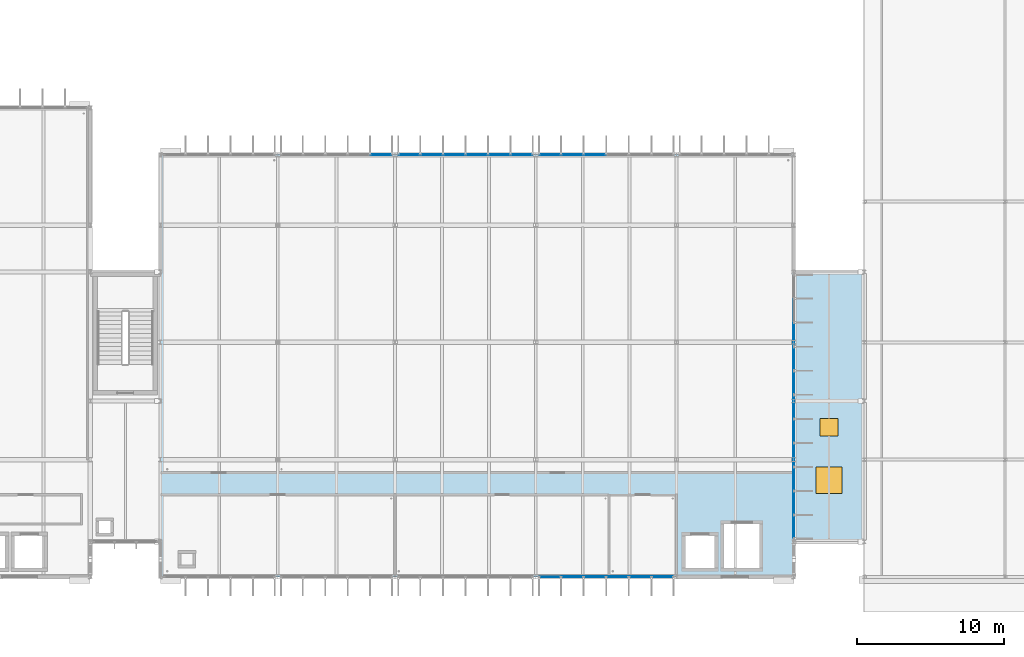
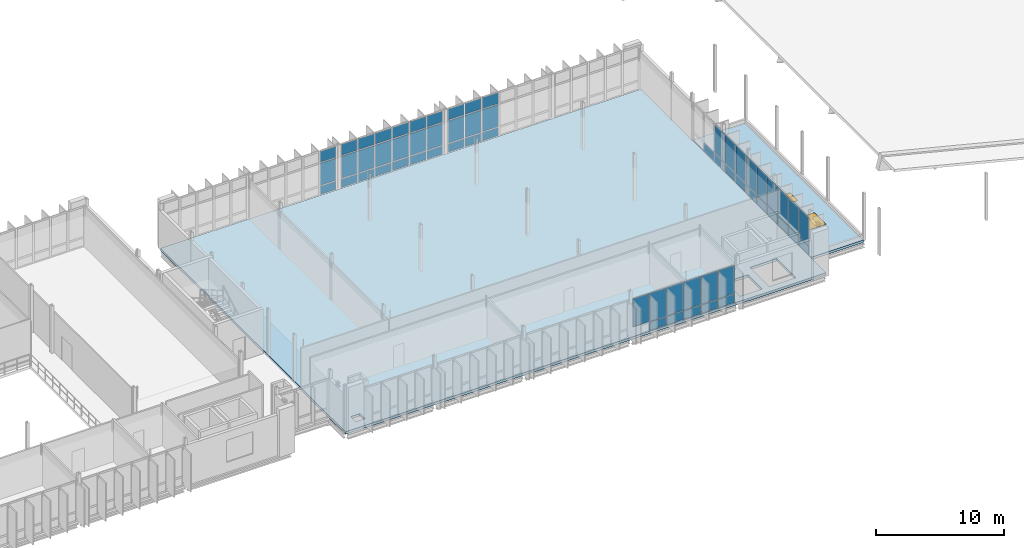
# One storey, part 43 of 93: 60 plates, 2 slabs, 2 windows, 2 openings, 5 elements without a shape of their own.
"""IFC4 building model written with IfcOpenShell, lengths in metres."""

from ifc_helpers import new_model, si_unit, direction, frame, origin, origin_2d, place, context, subcontext, project, spatial, polyline, rectangle, outline, extrude, material, layer, layer_set, type_object, element, fill, aggregate, save


model = new_model("IFC4")

# Units and contexts
model_context = context("Model", 3, precision=1e-05, world=origin(), true_north=direction((0.0, 1.0)))
body_context = subcontext(model_context, "Body", "Model", "MODEL_VIEW")
ifc_project = project(units=[si_unit("LENGTHUNIT", "METRE"), si_unit("AREAUNIT", "SQUARE_METRE"), si_unit("VOLUMEUNIT", "CUBIC_METRE"), si_unit("PLANEANGLEUNIT", "RADIAN"), si_unit("MASSUNIT", "GRAM", prefix="KILO")], contexts=[model_context])

# Site, building, storey
site_placement = place(None, origin())
site = spatial("IfcSite", under=ifc_project, at=site_placement, CompositionType="ELEMENT")
building_placement = place(site_placement, origin())
building = spatial("IfcBuilding", under=site, at=building_placement, Name="Dunescarp Central Library", CompositionType="ELEMENT")
storey_placement = place(building_placement, frame((0.0, 0.0, 14.10009765625)))
storey = spatial("IfcBuildingStorey", under=building, at=storey_placement, Name="L03", CompositionType="ELEMENT", Elevation=14.10009765625)

# Curtain wall, plates
ifc_material_1 = material(Name="Marine-grade anodised aluminium 6063-T6", Category="aluminium")
curtain_wall_type = type_object("IfcCurtainWallType", Name="ARC-CW-STICK", PredefinedType="NOTDEFINED", material=ifc_material_1)
curtain_wall_1_placement = place(storey_placement, origin())
curtain_wall_1 = element("IfcCurtainWall", 1, at=curtain_wall_1_placement, inside=storey, type_object=curtain_wall_type, Name="L03 curtain wall CW-V3-101", PredefinedType="NOTDEFINED")
ifc_material_2 = material(Name="Solar-control laminated double glazing", Category="glass")
ifc_layer_1 = layer(ifc_material_2, 0.028076171875)
ifc_layer_set_1 = layer_set([ifc_layer_1], Name="Solar-control laminated double glazing")
plate_type_1 = type_object("IfcPlateType", Name="ARC-PLT-GLZ28", PredefinedType="CURTAIN_PANEL", material=ifc_layer_set_1)
plate_1_placement = place(storey_placement, frame((115.834228515625, 4.800048828125, 0.93994140625), z_axis=(0.0, 0.0, 1.0), x_axis=(-1.0, 0.0, 0.0)))
plate_1 = element("IfcPlate", 2, at=plate_1_placement, type_object=plate_type_1, Name="CW-V3-101 panel 1.2", PredefinedType="CURTAIN_PANEL", context=body_context, shape_type="SweptSolid", body=[
    extrude(rectangle(XDim=1.421630859375, YDim=0.028076171875, at=origin_2d()), origin(), (0.0, 0.0, 1.0), 2.655029296875),
])
plate_2_placement = place(storey_placement, frame((114.3125, 4.800048828125, 0.93994140625), z_axis=(0.0, 0.0, 1.0), x_axis=(-1.0, 0.0, 0.0)))
plate_2 = element("IfcPlate", 3, at=plate_2_placement, type_object=plate_type_1, Name="CW-V3-101 panel 2.2", PredefinedType="CURTAIN_PANEL", context=body_context, shape_type="SweptSolid", body=[
    extrude(rectangle(XDim=1.461669921875, YDim=0.028076171875, at=origin_2d()), origin(), (0.0, 0.0, 1.0), 2.655029296875),
])
plate_3_placement = place(storey_placement, frame((112.770751953125, 4.800048828125, 0.93994140625), z_axis=(0.0, 0.0, 1.0), x_axis=(-1.0, 0.0, 0.0)))
plate_3 = element("IfcPlate", 4, at=plate_3_placement, type_object=plate_type_1, Name="CW-V3-101 panel 3.2", PredefinedType="CURTAIN_PANEL", context=body_context, shape_type="SweptSolid", body=[
    extrude(rectangle(XDim=1.461669921875, YDim=0.028076171875, at=origin_2d()), origin(), (0.0, 0.0, 1.0), 2.655029296875),
])
plate_4_placement = place(storey_placement, frame((111.229248046875, 4.800048828125, 0.93994140625), z_axis=(0.0, 0.0, 1.0), x_axis=(-1.0, 0.0, 0.0)))
plate_4 = element("IfcPlate", 5, at=plate_4_placement, type_object=plate_type_1, Name="CW-V3-101 panel 4.2", PredefinedType="CURTAIN_PANEL", context=body_context, shape_type="SweptSolid", body=[
    extrude(rectangle(XDim=1.461669921875, YDim=0.028076171875, at=origin_2d()), origin(), (0.0, 0.0, 1.0), 2.655029296875),
])
plate_5_placement = place(storey_placement, frame((109.6875, 4.800048828125, 0.93994140625), z_axis=(0.0, 0.0, 1.0), x_axis=(-1.0, 0.0, 0.0)))
plate_5 = element("IfcPlate", 6, at=plate_5_placement, type_object=plate_type_1, Name="CW-V3-101 panel 5.2", PredefinedType="CURTAIN_PANEL", context=body_context, shape_type="SweptSolid", body=[
    extrude(rectangle(XDim=1.461669921875, YDim=0.028076171875, at=origin_2d()), origin(), (0.0, 0.0, 1.0), 2.655029296875),
])
plate_6_placement = place(storey_placement, frame((108.165771484375, 4.800048828125, 0.93994140625), z_axis=(0.0, 0.0, 1.0), x_axis=(-1.0, 0.0, 0.0)))
plate_6 = element("IfcPlate", 7, at=plate_6_placement, type_object=plate_type_1, Name="CW-V3-101 panel 6.2", PredefinedType="CURTAIN_PANEL", context=body_context, shape_type="SweptSolid", body=[
    extrude(rectangle(XDim=1.421630859375, YDim=0.028076171875, at=origin_2d()), origin(), (0.0, 0.0, 1.0), 2.655029296875),
])

curtain_wall_2_placement = place(storey_placement, origin())
curtain_wall_2 = element("IfcCurtainWall", 8, at=curtain_wall_2_placement, inside=storey, type_object=curtain_wall_type, Name="L03 curtain wall CW-V3-103", PredefinedType="NOTDEFINED")
plate_7_placement = place(storey_placement, frame((96.639892578125, 33.60009765625, 0.93994140625), z_axis=(0.0, 0.0, 1.0), x_axis=(1.0, 0.0, 0.0)))
plate_7 = element("IfcPlate", 9, at=plate_7_placement, type_object=plate_type_1, Name="CW-V3-103 panel 5.2", PredefinedType="CURTAIN_PANEL", context=body_context, shape_type="SweptSolid", body=[
    extrude(rectangle(XDim=1.409912109375, YDim=0.028076171875, at=origin_2d()), origin(), (0.0, 0.0, 1.0), 2.1201171875),
])
plate_8_placement = place(storey_placement, frame((96.639892578125, 33.60009765625, 3.1396484375), z_axis=(0.0, 0.0, 1.0), x_axis=(1.0, 0.0, 0.0)))
plate_8 = element("IfcPlate", 10, at=plate_8_placement, type_object=plate_type_1, Name="CW-V3-103 panel 5.3", PredefinedType="CURTAIN_PANEL", context=body_context, shape_type="SweptSolid", body=[
    extrude(rectangle(XDim=1.409912109375, YDim=0.028076171875, at=origin_2d()), origin(), (0.0, 0.0, 1.0), 1.030029296875),
])

curtain_wall_3_placement = place(storey_placement, origin())
curtain_wall_3 = element("IfcCurtainWall", 11, at=curtain_wall_3_placement, inside=storey, type_object=curtain_wall_type, Name="L03 curtain wall CW-V3-104", PredefinedType="NOTDEFINED")
plate_9_placement = place(storey_placement, frame((98.56591796875, 33.60009765625, 0.93994140625), z_axis=(0.0, 0.0, 1.0), x_axis=(1.0, 0.0, 0.0)))
plate_9 = element("IfcPlate", 12, at=plate_9_placement, type_object=plate_type_1, Name="CW-V3-104 panel 1.2", PredefinedType="CURTAIN_PANEL", context=body_context, shape_type="SweptSolid", body=[
    extrude(rectangle(XDim=1.421630859375, YDim=0.028076171875, at=origin_2d()), origin(), (0.0, 0.0, 1.0), 2.1201171875),
])
plate_10_placement = place(storey_placement, frame((98.56591796875, 33.60009765625, 3.1396484375), z_axis=(0.0, 0.0, 1.0), x_axis=(1.0, 0.0, 0.0)))
plate_10 = element("IfcPlate", 13, at=plate_10_placement, type_object=plate_type_1, Name="CW-V3-104 panel 1.3", PredefinedType="CURTAIN_PANEL", context=body_context, shape_type="SweptSolid", body=[
    extrude(rectangle(XDim=1.421630859375, YDim=0.028076171875, at=origin_2d()), origin(), (0.0, 0.0, 1.0), 1.030029296875),
])
plate_11_placement = place(storey_placement, frame((100.08740234375, 33.60009765625, 0.93994140625), z_axis=(0.0, 0.0, 1.0), x_axis=(1.0, 0.0, 0.0)))
plate_11 = element("IfcPlate", 14, at=plate_11_placement, type_object=plate_type_1, Name="CW-V3-104 panel 2.2", PredefinedType="CURTAIN_PANEL", context=body_context, shape_type="SweptSolid", body=[
    extrude(rectangle(XDim=1.461669921875, YDim=0.028076171875, at=origin_2d()), origin(), (0.0, 0.0, 1.0), 2.1201171875),
])
plate_12_placement = place(storey_placement, frame((100.08740234375, 33.60009765625, 3.1396484375), z_axis=(0.0, 0.0, 1.0), x_axis=(1.0, 0.0, 0.0)))
plate_12 = element("IfcPlate", 15, at=plate_12_placement, type_object=plate_type_1, Name="CW-V3-104 panel 2.3", PredefinedType="CURTAIN_PANEL", context=body_context, shape_type="SweptSolid", body=[
    extrude(rectangle(XDim=1.461669921875, YDim=0.028076171875, at=origin_2d()), origin(), (0.0, 0.0, 1.0), 1.030029296875),
])
plate_13_placement = place(storey_placement, frame((101.629150390625, 33.60009765625, 0.93994140625), z_axis=(0.0, 0.0, 1.0), x_axis=(1.0, 0.0, 0.0)))
plate_13 = element("IfcPlate", 16, at=plate_13_placement, type_object=plate_type_1, Name="CW-V3-104 panel 3.2", PredefinedType="CURTAIN_PANEL", context=body_context, shape_type="SweptSolid", body=[
    extrude(rectangle(XDim=1.461669921875, YDim=0.028076171875, at=origin_2d()), origin(), (0.0, 0.0, 1.0), 2.1201171875),
])
plate_14_placement = place(storey_placement, frame((101.629150390625, 33.60009765625, 3.1396484375), z_axis=(0.0, 0.0, 1.0), x_axis=(1.0, 0.0, 0.0)))
plate_14 = element("IfcPlate", 17, at=plate_14_placement, type_object=plate_type_1, Name="CW-V3-104 panel 3.3", PredefinedType="CURTAIN_PANEL", context=body_context, shape_type="SweptSolid", body=[
    extrude(rectangle(XDim=1.461669921875, YDim=0.028076171875, at=origin_2d()), origin(), (0.0, 0.0, 1.0), 1.030029296875),
])
plate_15_placement = place(storey_placement, frame((103.1708984375, 33.60009765625, 0.93994140625), z_axis=(0.0, 0.0, 1.0), x_axis=(1.0, 0.0, 0.0)))
plate_15 = element("IfcPlate", 18, at=plate_15_placement, type_object=plate_type_1, Name="CW-V3-104 panel 4.2", PredefinedType="CURTAIN_PANEL", context=body_context, shape_type="SweptSolid", body=[
    extrude(rectangle(XDim=1.461669921875, YDim=0.028076171875, at=origin_2d()), origin(), (0.0, 0.0, 1.0), 2.1201171875),
])
plate_16_placement = place(storey_placement, frame((103.1708984375, 33.60009765625, 3.1396484375), z_axis=(0.0, 0.0, 1.0), x_axis=(1.0, 0.0, 0.0)))
plate_16 = element("IfcPlate", 19, at=plate_16_placement, type_object=plate_type_1, Name="CW-V3-104 panel 4.3", PredefinedType="CURTAIN_PANEL", context=body_context, shape_type="SweptSolid", body=[
    extrude(rectangle(XDim=1.461669921875, YDim=0.028076171875, at=origin_2d()), origin(), (0.0, 0.0, 1.0), 1.030029296875),
])
plate_17_placement = place(storey_placement, frame((104.71240234375, 33.60009765625, 0.93994140625), z_axis=(0.0, 0.0, 1.0), x_axis=(1.0, 0.0, 0.0)))
plate_17 = element("IfcPlate", 20, at=plate_17_placement, type_object=plate_type_1, Name="CW-V3-104 panel 5.2", PredefinedType="CURTAIN_PANEL", context=body_context, shape_type="SweptSolid", body=[
    extrude(rectangle(XDim=1.461669921875, YDim=0.028076171875, at=origin_2d()), origin(), (0.0, 0.0, 1.0), 2.1201171875),
])
plate_18_placement = place(storey_placement, frame((104.71240234375, 33.60009765625, 3.1396484375), z_axis=(0.0, 0.0, 1.0), x_axis=(1.0, 0.0, 0.0)))
plate_18 = element("IfcPlate", 21, at=plate_18_placement, type_object=plate_type_1, Name="CW-V3-104 panel 5.3", PredefinedType="CURTAIN_PANEL", context=body_context, shape_type="SweptSolid", body=[
    extrude(rectangle(XDim=1.461669921875, YDim=0.028076171875, at=origin_2d()), origin(), (0.0, 0.0, 1.0), 1.030029296875),
])
plate_19_placement = place(storey_placement, frame((106.234130859375, 33.60009765625, 0.93994140625), z_axis=(0.0, 0.0, 1.0), x_axis=(1.0, 0.0, 0.0)))
plate_19 = element("IfcPlate", 22, at=plate_19_placement, type_object=plate_type_1, Name="CW-V3-104 panel 6.2", PredefinedType="CURTAIN_PANEL", context=body_context, shape_type="SweptSolid", body=[
    extrude(rectangle(XDim=1.421630859375, YDim=0.028076171875, at=origin_2d()), origin(), (0.0, 0.0, 1.0), 2.1201171875),
])
plate_20_placement = place(storey_placement, frame((106.234130859375, 33.60009765625, 3.1396484375), z_axis=(0.0, 0.0, 1.0), x_axis=(1.0, 0.0, 0.0)))
plate_20 = element("IfcPlate", 23, at=plate_20_placement, type_object=plate_type_1, Name="CW-V3-104 panel 6.3", PredefinedType="CURTAIN_PANEL", context=body_context, shape_type="SweptSolid", body=[
    extrude(rectangle(XDim=1.421630859375, YDim=0.028076171875, at=origin_2d()), origin(), (0.0, 0.0, 1.0), 1.030029296875),
])

curtain_wall_4_placement = place(storey_placement, origin())
curtain_wall_4 = element("IfcCurtainWall", 24, at=curtain_wall_4_placement, inside=storey, type_object=curtain_wall_type, Name="L03 curtain wall CW-V3-105", PredefinedType="NOTDEFINED")
plate_21_placement = place(storey_placement, frame((108.165771484375, 33.60009765625, 0.93994140625), z_axis=(0.0, 0.0, 1.0), x_axis=(1.0, 0.0, 0.0)))
plate_21 = element("IfcPlate", 25, at=plate_21_placement, type_object=plate_type_1, Name="CW-V3-105 panel 1.2", PredefinedType="CURTAIN_PANEL", context=body_context, shape_type="SweptSolid", body=[
    extrude(rectangle(XDim=1.421630859375, YDim=0.028076171875, at=origin_2d()), origin(), (0.0, 0.0, 1.0), 2.1201171875),
])
plate_22_placement = place(storey_placement, frame((108.165771484375, 33.60009765625, 3.1396484375), z_axis=(0.0, 0.0, 1.0), x_axis=(1.0, 0.0, 0.0)))
plate_22 = element("IfcPlate", 26, at=plate_22_placement, type_object=plate_type_1, Name="CW-V3-105 panel 1.3", PredefinedType="CURTAIN_PANEL", context=body_context, shape_type="SweptSolid", body=[
    extrude(rectangle(XDim=1.421630859375, YDim=0.028076171875, at=origin_2d()), origin(), (0.0, 0.0, 1.0), 1.030029296875),
])
plate_23_placement = place(storey_placement, frame((109.6875, 33.60009765625, 0.93994140625), z_axis=(0.0, 0.0, 1.0), x_axis=(1.0, 0.0, 0.0)))
plate_23 = element("IfcPlate", 27, at=plate_23_placement, type_object=plate_type_1, Name="CW-V3-105 panel 2.2", PredefinedType="CURTAIN_PANEL", context=body_context, shape_type="SweptSolid", body=[
    extrude(rectangle(XDim=1.461669921875, YDim=0.028076171875, at=origin_2d()), origin(), (0.0, 0.0, 1.0), 2.1201171875),
])
plate_24_placement = place(storey_placement, frame((109.6875, 33.60009765625, 3.1396484375), z_axis=(0.0, 0.0, 1.0), x_axis=(1.0, 0.0, 0.0)))
plate_24 = element("IfcPlate", 28, at=plate_24_placement, type_object=plate_type_1, Name="CW-V3-105 panel 2.3", PredefinedType="CURTAIN_PANEL", context=body_context, shape_type="SweptSolid", body=[
    extrude(rectangle(XDim=1.461669921875, YDim=0.028076171875, at=origin_2d()), origin(), (0.0, 0.0, 1.0), 1.030029296875),
])
plate_25_placement = place(storey_placement, frame((111.229248046875, 33.60009765625, 0.93994140625), z_axis=(0.0, 0.0, 1.0), x_axis=(1.0, 0.0, 0.0)))
plate_25 = element("IfcPlate", 29, at=plate_25_placement, type_object=plate_type_1, Name="CW-V3-105 panel 3.2", PredefinedType="CURTAIN_PANEL", context=body_context, shape_type="SweptSolid", body=[
    extrude(rectangle(XDim=1.461669921875, YDim=0.028076171875, at=origin_2d()), origin(), (0.0, 0.0, 1.0), 2.1201171875),
])
plate_26_placement = place(storey_placement, frame((111.229248046875, 33.60009765625, 3.1396484375), z_axis=(0.0, 0.0, 1.0), x_axis=(1.0, 0.0, 0.0)))
plate_26 = element("IfcPlate", 30, at=plate_26_placement, type_object=plate_type_1, Name="CW-V3-105 panel 3.3", PredefinedType="CURTAIN_PANEL", context=body_context, shape_type="SweptSolid", body=[
    extrude(rectangle(XDim=1.461669921875, YDim=0.028076171875, at=origin_2d()), origin(), (0.0, 0.0, 1.0), 1.030029296875),
])

curtain_wall_5_placement = place(storey_placement, origin())
curtain_wall_5 = element("IfcCurtainWall", 31, at=curtain_wall_5_placement, inside=storey, type_object=curtain_wall_type, Name="L03 curtain wall CW-V3-107", PredefinedType="NOTDEFINED")
plate_27_placement = place(storey_placement, frame((124.800048828125, 21.32275390625, 0.93994140625), z_axis=(0.0, 0.0, 1.0), x_axis=(0.0, -1.0, 0.0)))
plate_27 = element("IfcPlate", 32, at=plate_27_placement, type_object=plate_type_1, Name="CW-V3-107 panel 3.2", PredefinedType="CURTAIN_PANEL", context=body_context, shape_type="SweptSolid", body=[
    extrude(rectangle(XDim=1.560791015625, YDim=0.028076171875, at=origin_2d()), origin(), (0.0, 0.0, 1.0), 2.666015625),
])
plate_28_placement = place(storey_placement, frame((124.800048828125, 19.681884765625, 0.93994140625), z_axis=(0.0, 0.0, 1.0), x_axis=(0.0, -1.0, 0.0)))
plate_28 = element("IfcPlate", 33, at=plate_28_placement, type_object=plate_type_1, Name="CW-V3-107 panel 4.2", PredefinedType="CURTAIN_PANEL", context=body_context, shape_type="SweptSolid", body=[
    extrude(rectangle(XDim=1.560791015625, YDim=0.028076171875, at=origin_2d()), origin(), (0.0, 0.0, 1.0), 2.666015625),
])
plate_29_placement = place(storey_placement, frame((124.800048828125, 18.041015625, 0.93994140625), z_axis=(0.0, 0.0, 1.0), x_axis=(0.0, -1.0, 0.0)))
plate_29 = element("IfcPlate", 34, at=plate_29_placement, type_object=plate_type_1, Name="CW-V3-107 panel 5.2", PredefinedType="CURTAIN_PANEL", context=body_context, shape_type="SweptSolid", body=[
    extrude(rectangle(XDim=1.560791015625, YDim=0.028076171875, at=origin_2d()), origin(), (0.0, 0.0, 1.0), 2.666015625),
])
plate_30_placement = place(storey_placement, frame((124.800048828125, 16.39990234375, 0.93994140625), z_axis=(0.0, 0.0, 1.0), x_axis=(0.0, -1.0, 0.0)))
plate_30 = element("IfcPlate", 35, at=plate_30_placement, type_object=plate_type_1, Name="CW-V3-107 panel 6.2", PredefinedType="CURTAIN_PANEL", context=body_context, shape_type="SweptSolid", body=[
    extrude(rectangle(XDim=1.560791015625, YDim=0.028076171875, at=origin_2d()), origin(), (0.0, 0.0, 1.0), 2.666015625),
])
plate_31_placement = place(storey_placement, frame((124.800048828125, 14.759033203125, 0.93994140625), z_axis=(0.0, 0.0, 1.0), x_axis=(0.0, -1.0, 0.0)))
plate_31 = element("IfcPlate", 36, at=plate_31_placement, type_object=plate_type_1, Name="CW-V3-107 panel 7.2", PredefinedType="CURTAIN_PANEL", context=body_context, shape_type="SweptSolid", body=[
    extrude(rectangle(XDim=1.560791015625, YDim=0.028076171875, at=origin_2d()), origin(), (0.0, 0.0, 1.0), 2.666015625),
])
plate_32_placement = place(storey_placement, frame((124.800048828125, 13.1181640625, 0.93994140625), z_axis=(0.0, 0.0, 1.0), x_axis=(0.0, -1.0, 0.0)))
plate_32 = element("IfcPlate", 37, at=plate_32_placement, type_object=plate_type_1, Name="CW-V3-107 panel 8.2", PredefinedType="CURTAIN_PANEL", context=body_context, shape_type="SweptSolid", body=[
    extrude(rectangle(XDim=1.560791015625, YDim=0.028076171875, at=origin_2d()), origin(), (0.0, 0.0, 1.0), 2.666015625),
])
plate_33_placement = place(storey_placement, frame((124.800048828125, 11.477294921875, 0.93994140625), z_axis=(0.0, 0.0, 1.0), x_axis=(0.0, -1.0, 0.0)))
plate_33 = element("IfcPlate", 38, at=plate_33_placement, type_object=plate_type_1, Name="CW-V3-107 panel 9.2", PredefinedType="CURTAIN_PANEL", context=body_context, shape_type="SweptSolid", body=[
    extrude(rectangle(XDim=1.560791015625, YDim=0.028076171875, at=origin_2d()), origin(), (0.0, 0.0, 1.0), 2.666015625),
])
plate_34_placement = place(storey_placement, frame((124.800048828125, 9.83642578125, 0.93994140625), z_axis=(0.0, 0.0, 1.0), x_axis=(0.0, -1.0, 0.0)))
plate_34 = element("IfcPlate", 39, at=plate_34_placement, type_object=plate_type_1, Name="CW-V3-107 panel 10.2", PredefinedType="CURTAIN_PANEL", context=body_context, shape_type="SweptSolid", body=[
    extrude(rectangle(XDim=1.560791015625, YDim=0.028076171875, at=origin_2d()), origin(), (0.0, 0.0, 1.0), 2.666015625),
])
plate_35_placement = place(storey_placement, frame((124.800048828125, 8.215576171875, 0.93994140625), z_axis=(0.0, 0.0, 1.0), x_axis=(0.0, -1.0, 0.0)))
plate_35 = element("IfcPlate", 40, at=plate_35_placement, type_object=plate_type_1, Name="CW-V3-107 panel 11.2", PredefinedType="CURTAIN_PANEL", context=body_context, shape_type="SweptSolid", body=[
    extrude(rectangle(XDim=1.52099609375, YDim=0.028076171875, at=origin_2d()), origin(), (0.0, 0.0, 1.0), 2.666015625),
])

# Plate
ifc_layer_2 = layer(ifc_material_1, 0.050048828125)
ifc_layer_set_2 = layer_set([ifc_layer_2], Name="Marine-grade anodised aluminium 6063-T6")
plate_type_2 = type_object("IfcPlateType", Name="ARC-PLT-SPN50", PredefinedType="SHEET", material=ifc_layer_set_2)
plate_36_placement = place(storey_placement, frame((115.834228515625, 4.800048828125, 0.080078125), z_axis=(0.0, 0.0, 1.0), x_axis=(-1.0, 0.0, 0.0)))
plate_36 = element("IfcPlate", 41, at=plate_36_placement, type_object=plate_type_2, Name="CW-V3-101 panel 1.1", PredefinedType="SHEET", context=body_context, shape_type="SweptSolid", body=[
    extrude(rectangle(XDim=1.421630859375, YDim=0.050048828125, at=origin_2d()), origin(), (0.0, 0.0, 1.0), 0.780029296875),
])

plate_37_placement = place(storey_placement, frame((114.3125, 4.800048828125, 0.080078125), z_axis=(0.0, 0.0, 1.0), x_axis=(-1.0, 0.0, 0.0)))
plate_37 = element("IfcPlate", 42, at=plate_37_placement, type_object=plate_type_2, Name="CW-V3-101 panel 2.1", PredefinedType="SHEET", context=body_context, shape_type="SweptSolid", body=[
    extrude(rectangle(XDim=1.461669921875, YDim=0.050048828125, at=origin_2d()), origin(), (0.0, 0.0, 1.0), 0.780029296875),
])

plate_38_placement = place(storey_placement, frame((112.770751953125, 4.800048828125, 0.080078125), z_axis=(0.0, 0.0, 1.0), x_axis=(-1.0, 0.0, 0.0)))
plate_38 = element("IfcPlate", 43, at=plate_38_placement, type_object=plate_type_2, Name="CW-V3-101 panel 3.1", PredefinedType="SHEET", context=body_context, shape_type="SweptSolid", body=[
    extrude(rectangle(XDim=1.461669921875, YDim=0.050048828125, at=origin_2d()), origin(), (0.0, 0.0, 1.0), 0.780029296875),
])

plate_39_placement = place(storey_placement, frame((111.229248046875, 4.800048828125, 0.080078125), z_axis=(0.0, 0.0, 1.0), x_axis=(-1.0, 0.0, 0.0)))
plate_39 = element("IfcPlate", 44, at=plate_39_placement, type_object=plate_type_2, Name="CW-V3-101 panel 4.1", PredefinedType="SHEET", context=body_context, shape_type="SweptSolid", body=[
    extrude(rectangle(XDim=1.461669921875, YDim=0.050048828125, at=origin_2d()), origin(), (0.0, 0.0, 1.0), 0.780029296875),
])

plate_40_placement = place(storey_placement, frame((109.6875, 4.800048828125, 0.080078125), z_axis=(0.0, 0.0, 1.0), x_axis=(-1.0, 0.0, 0.0)))
plate_40 = element("IfcPlate", 45, at=plate_40_placement, type_object=plate_type_2, Name="CW-V3-101 panel 5.1", PredefinedType="SHEET", context=body_context, shape_type="SweptSolid", body=[
    extrude(rectangle(XDim=1.461669921875, YDim=0.050048828125, at=origin_2d()), origin(), (0.0, 0.0, 1.0), 0.780029296875),
])

aggregate(curtain_wall_1, [plate_36, plate_1, plate_37, plate_2, plate_38, plate_3, plate_39, plate_4, plate_40, plate_5, plate_6])

plate_41_placement = place(storey_placement, frame((96.639892578125, 33.60009765625, 0.080078125), z_axis=(0.0, 0.0, 1.0), x_axis=(1.0, 0.0, 0.0)))
plate_41 = element("IfcPlate", 46, at=plate_41_placement, type_object=plate_type_2, Name="CW-V3-103 panel 5.1", PredefinedType="SHEET", context=body_context, shape_type="SweptSolid", body=[
    extrude(rectangle(XDim=1.409912109375, YDim=0.050048828125, at=origin_2d()), origin(), (0.0, 0.0, 1.0), 0.780029296875),
])

aggregate(curtain_wall_2, [plate_41, plate_7, plate_8])

plate_42_placement = place(storey_placement, frame((98.56591796875, 33.60009765625, 0.080078125), z_axis=(0.0, 0.0, 1.0), x_axis=(1.0, 0.0, 0.0)))
plate_42 = element("IfcPlate", 47, at=plate_42_placement, type_object=plate_type_2, Name="CW-V3-104 panel 1.1", PredefinedType="SHEET", context=body_context, shape_type="SweptSolid", body=[
    extrude(rectangle(XDim=1.421630859375, YDim=0.050048828125, at=origin_2d()), origin(), (0.0, 0.0, 1.0), 0.780029296875),
])

plate_43_placement = place(storey_placement, frame((100.08740234375, 33.60009765625, 0.080078125), z_axis=(0.0, 0.0, 1.0), x_axis=(1.0, 0.0, 0.0)))
plate_43 = element("IfcPlate", 48, at=plate_43_placement, type_object=plate_type_2, Name="CW-V3-104 panel 2.1", PredefinedType="SHEET", context=body_context, shape_type="SweptSolid", body=[
    extrude(rectangle(XDim=1.461669921875, YDim=0.050048828125, at=origin_2d()), origin(), (0.0, 0.0, 1.0), 0.780029296875),
])

plate_44_placement = place(storey_placement, frame((101.629150390625, 33.60009765625, 0.080078125), z_axis=(0.0, 0.0, 1.0), x_axis=(1.0, 0.0, 0.0)))
plate_44 = element("IfcPlate", 49, at=plate_44_placement, type_object=plate_type_2, Name="CW-V3-104 panel 3.1", PredefinedType="SHEET", context=body_context, shape_type="SweptSolid", body=[
    extrude(rectangle(XDim=1.461669921875, YDim=0.050048828125, at=origin_2d()), origin(), (0.0, 0.0, 1.0), 0.780029296875),
])

plate_45_placement = place(storey_placement, frame((103.1708984375, 33.60009765625, 0.080078125), z_axis=(0.0, 0.0, 1.0), x_axis=(1.0, 0.0, 0.0)))
plate_45 = element("IfcPlate", 50, at=plate_45_placement, type_object=plate_type_2, Name="CW-V3-104 panel 4.1", PredefinedType="SHEET", context=body_context, shape_type="SweptSolid", body=[
    extrude(rectangle(XDim=1.461669921875, YDim=0.050048828125, at=origin_2d()), origin(), (0.0, 0.0, 1.0), 0.780029296875),
])

plate_46_placement = place(storey_placement, frame((104.71240234375, 33.60009765625, 0.080078125), z_axis=(0.0, 0.0, 1.0), x_axis=(1.0, 0.0, 0.0)))
plate_46 = element("IfcPlate", 51, at=plate_46_placement, type_object=plate_type_2, Name="CW-V3-104 panel 5.1", PredefinedType="SHEET", context=body_context, shape_type="SweptSolid", body=[
    extrude(rectangle(XDim=1.461669921875, YDim=0.050048828125, at=origin_2d()), origin(), (0.0, 0.0, 1.0), 0.780029296875),
])

plate_47_placement = place(storey_placement, frame((106.234130859375, 33.60009765625, 0.080078125), z_axis=(0.0, 0.0, 1.0), x_axis=(1.0, 0.0, 0.0)))
plate_47 = element("IfcPlate", 52, at=plate_47_placement, type_object=plate_type_2, Name="CW-V3-104 panel 6.1", PredefinedType="SHEET", context=body_context, shape_type="SweptSolid", body=[
    extrude(rectangle(XDim=1.421630859375, YDim=0.050048828125, at=origin_2d()), origin(), (0.0, 0.0, 1.0), 0.780029296875),
])

aggregate(curtain_wall_3, [plate_42, plate_9, plate_10, plate_43, plate_11, plate_12, plate_44, plate_13, plate_14, plate_45, plate_15, plate_16, plate_46, plate_17, plate_18, plate_47, plate_19, plate_20])

plate_48_placement = place(storey_placement, frame((108.165771484375, 33.60009765625, 0.080078125), z_axis=(0.0, 0.0, 1.0), x_axis=(1.0, 0.0, 0.0)))
plate_48 = element("IfcPlate", 53, at=plate_48_placement, type_object=plate_type_2, Name="CW-V3-105 panel 1.1", PredefinedType="SHEET", context=body_context, shape_type="SweptSolid", body=[
    extrude(rectangle(XDim=1.421630859375, YDim=0.050048828125, at=origin_2d()), origin(), (0.0, 0.0, 1.0), 0.780029296875),
])

plate_49_placement = place(storey_placement, frame((109.6875, 33.60009765625, 0.080078125), z_axis=(0.0, 0.0, 1.0), x_axis=(1.0, 0.0, 0.0)))
plate_49 = element("IfcPlate", 54, at=plate_49_placement, type_object=plate_type_2, Name="CW-V3-105 panel 2.1", PredefinedType="SHEET", context=body_context, shape_type="SweptSolid", body=[
    extrude(rectangle(XDim=1.461669921875, YDim=0.050048828125, at=origin_2d()), origin(), (0.0, 0.0, 1.0), 0.780029296875),
])

plate_50_placement = place(storey_placement, frame((111.229248046875, 33.60009765625, 0.080078125), z_axis=(0.0, 0.0, 1.0), x_axis=(1.0, 0.0, 0.0)))
plate_50 = element("IfcPlate", 55, at=plate_50_placement, type_object=plate_type_2, Name="CW-V3-105 panel 3.1", PredefinedType="SHEET", context=body_context, shape_type="SweptSolid", body=[
    extrude(rectangle(XDim=1.461669921875, YDim=0.050048828125, at=origin_2d()), origin(), (0.0, 0.0, 1.0), 0.780029296875),
])

aggregate(curtain_wall_4, [plate_48, plate_21, plate_22, plate_49, plate_23, plate_24, plate_50, plate_25, plate_26])

plate_51_placement = place(storey_placement, frame((124.800048828125, 22.963623046875, 0.080078125), z_axis=(0.0, 0.0, 1.0), x_axis=(0.0, -1.0, 0.0)))
plate_51 = element("IfcPlate", 56, at=plate_51_placement, type_object=plate_type_2, Name="CW-V3-107 panel 2.1", PredefinedType="SHEET", context=body_context, shape_type="SweptSolid", body=[
    extrude(rectangle(XDim=1.560791015625, YDim=0.050048828125, at=origin_2d()), origin(), (0.0, 0.0, 1.0), 0.780029296875),
])

plate_52_placement = place(storey_placement, frame((124.800048828125, 21.32275390625, 0.080078125), z_axis=(0.0, 0.0, 1.0), x_axis=(0.0, -1.0, 0.0)))
plate_52 = element("IfcPlate", 57, at=plate_52_placement, type_object=plate_type_2, Name="CW-V3-107 panel 3.1", PredefinedType="SHEET", context=body_context, shape_type="SweptSolid", body=[
    extrude(rectangle(XDim=1.560791015625, YDim=0.050048828125, at=origin_2d()), origin(), (0.0, 0.0, 1.0), 0.780029296875),
])

plate_53_placement = place(storey_placement, frame((124.800048828125, 19.681884765625, 0.080078125), z_axis=(0.0, 0.0, 1.0), x_axis=(0.0, -1.0, 0.0)))
plate_53 = element("IfcPlate", 58, at=plate_53_placement, type_object=plate_type_2, Name="CW-V3-107 panel 4.1", PredefinedType="SHEET", context=body_context, shape_type="SweptSolid", body=[
    extrude(rectangle(XDim=1.560791015625, YDim=0.050048828125, at=origin_2d()), origin(), (0.0, 0.0, 1.0), 0.780029296875),
])

plate_54_placement = place(storey_placement, frame((124.800048828125, 18.041015625, 0.080078125), z_axis=(0.0, 0.0, 1.0), x_axis=(0.0, -1.0, 0.0)))
plate_54 = element("IfcPlate", 59, at=plate_54_placement, type_object=plate_type_2, Name="CW-V3-107 panel 5.1", PredefinedType="SHEET", context=body_context, shape_type="SweptSolid", body=[
    extrude(rectangle(XDim=1.560791015625, YDim=0.050048828125, at=origin_2d()), origin(), (0.0, 0.0, 1.0), 0.780029296875),
])

plate_55_placement = place(storey_placement, frame((124.800048828125, 16.39990234375, 0.080078125), z_axis=(0.0, 0.0, 1.0), x_axis=(0.0, -1.0, 0.0)))
plate_55 = element("IfcPlate", 60, at=plate_55_placement, type_object=plate_type_2, Name="CW-V3-107 panel 6.1", PredefinedType="SHEET", context=body_context, shape_type="SweptSolid", body=[
    extrude(rectangle(XDim=1.560791015625, YDim=0.050048828125, at=origin_2d()), origin(), (0.0, 0.0, 1.0), 0.780029296875),
])

plate_56_placement = place(storey_placement, frame((124.800048828125, 14.759033203125, 0.080078125), z_axis=(0.0, 0.0, 1.0), x_axis=(0.0, -1.0, 0.0)))
plate_56 = element("IfcPlate", 61, at=plate_56_placement, type_object=plate_type_2, Name="CW-V3-107 panel 7.1", PredefinedType="SHEET", context=body_context, shape_type="SweptSolid", body=[
    extrude(rectangle(XDim=1.560791015625, YDim=0.050048828125, at=origin_2d()), origin(), (0.0, 0.0, 1.0), 0.780029296875),
])

plate_57_placement = place(storey_placement, frame((124.800048828125, 13.1181640625, 0.080078125), z_axis=(0.0, 0.0, 1.0), x_axis=(0.0, -1.0, 0.0)))
plate_57 = element("IfcPlate", 62, at=plate_57_placement, type_object=plate_type_2, Name="CW-V3-107 panel 8.1", PredefinedType="SHEET", context=body_context, shape_type="SweptSolid", body=[
    extrude(rectangle(XDim=1.560791015625, YDim=0.050048828125, at=origin_2d()), origin(), (0.0, 0.0, 1.0), 0.780029296875),
])

plate_58_placement = place(storey_placement, frame((124.800048828125, 11.477294921875, 0.080078125), z_axis=(0.0, 0.0, 1.0), x_axis=(0.0, -1.0, 0.0)))
plate_58 = element("IfcPlate", 63, at=plate_58_placement, type_object=plate_type_2, Name="CW-V3-107 panel 9.1", PredefinedType="SHEET", context=body_context, shape_type="SweptSolid", body=[
    extrude(rectangle(XDim=1.560791015625, YDim=0.050048828125, at=origin_2d()), origin(), (0.0, 0.0, 1.0), 0.780029296875),
])

plate_59_placement = place(storey_placement, frame((124.800048828125, 9.83642578125, 0.080078125), z_axis=(0.0, 0.0, 1.0), x_axis=(0.0, -1.0, 0.0)))
plate_59 = element("IfcPlate", 64, at=plate_59_placement, type_object=plate_type_2, Name="CW-V3-107 panel 10.1", PredefinedType="SHEET", context=body_context, shape_type="SweptSolid", body=[
    extrude(rectangle(XDim=1.560791015625, YDim=0.050048828125, at=origin_2d()), origin(), (0.0, 0.0, 1.0), 0.780029296875),
])

plate_60_placement = place(storey_placement, frame((124.800048828125, 8.215576171875, 0.080078125), z_axis=(0.0, 0.0, 1.0), x_axis=(0.0, -1.0, 0.0)))
plate_60 = element("IfcPlate", 65, at=plate_60_placement, type_object=plate_type_2, Name="CW-V3-107 panel 11.1", PredefinedType="SHEET", context=body_context, shape_type="SweptSolid", body=[
    extrude(rectangle(XDim=1.52099609375, YDim=0.050048828125, at=origin_2d()), origin(), (0.0, 0.0, 1.0), 0.780029296875),
])

aggregate(curtain_wall_5, [plate_51, plate_52, plate_27, plate_53, plate_28, plate_54, plate_29, plate_55, plate_30, plate_56, plate_31, plate_57, plate_32, plate_58, plate_33, plate_59, plate_34, plate_60, plate_35])

# Slab, openings, windows
ifc_material_3 = material(Name="Concrete C35/45", Category="concrete")
ifc_layer_3 = layer(ifc_material_3, 0.199951171875)
ifc_layer_set_3 = layer_set([ifc_layer_3], Name="Concrete C35/45")
slab_type_1 = type_object("IfcSlabType", Name="STR-SLB-ROOF200", PredefinedType="ROOF", material=ifc_layer_set_3)
slab_1_placement = place(storey_placement, frame((0.0, 0.0, -0.239990234375)))
slab_1 = element("IfcSlab", 66, at=slab_1_placement, inside=storey, type_object=slab_type_1, Name="L03 flat roof slab GL3", PredefinedType="ROOF", context=body_context, shape_type="SweptSolid", body=[
    extrude(outline(polyline([(124.85009765625, 7.199951171875), (129.550048828125, 7.199951171875), (129.550048828125, 25.60009765625), (124.85009765625, 25.60009765625), (124.85009765625, 7.199951171875)])), origin(), (0.0, 0.0, 1.0), 0.239990234375),
])
opening_1_placement = place(slab_1_placement, frame((127.199951171875, 11.39990234375, -0.010009765625)))
opening_1 = element("IfcOpeningElement", 67, at=opening_1_placement, cuts=slab_1, Name="Opening SKY-03", PredefinedType="OPENING", context=body_context, shape_type="SweptSolid", body=[
    extrude(rectangle(XDim=1.800048828125, YDim=1.800048828125, at=origin_2d()), origin(), (0.0, 0.0, 1.0), 0.260009765625),
])
opening_2_placement = place(slab_1_placement, frame((127.199951171875, 15.0, -0.010009765625)))
opening_2 = element("IfcOpeningElement", 68, at=opening_2_placement, cuts=slab_1, Name="Opening SKY-13", PredefinedType="OPENING", context=body_context, shape_type="SweptSolid", body=[
    extrude(rectangle(XDim=1.199951171875, YDim=1.199951171875, at=origin_2d()), origin(), (0.0, 0.0, 1.0), 0.260009765625),
])
window_type_1 = type_object("IfcWindowType", Name="ARC-WN-SKY1200", PartitioningType="SINGLE_PANEL", PredefinedType="SKYLIGHT", material=ifc_material_2)
window_1_placement = place(slab_1_placement, frame((127.199951171875, 15.0, 0.18994140625)))
window_1 = element("IfcWindow", 69, at=window_1_placement, inside=storey, type_object=window_type_1, Name="L03 roof smoke-vent skylight SKY-13", OverallHeight=1.199951171875, OverallWidth=1.199951171875, PartitioningType="SINGLE_PANEL", PredefinedType="SKYLIGHT", context=body_context, shape_type="SweptSolid", body=[
    extrude(rectangle(XDim=1.199951171875, YDim=1.199951171875, at=origin_2d()), origin(), (0.0, 0.0, 1.0), 0.050048828125),
])
fill(opening_2, window_1)
window_type_2 = type_object("IfcWindowType", Name="ARC-WN-SKY1800", PartitioningType="SINGLE_PANEL", PredefinedType="SKYLIGHT", material=ifc_material_2)
window_2_placement = place(slab_1_placement, frame((127.199951171875, 11.39990234375, 0.18994140625)))
window_2 = element("IfcWindow", 70, at=window_2_placement, inside=storey, type_object=window_type_2, Name="L03 roof skylight SKY-03", OverallHeight=1.800048828125, OverallWidth=1.800048828125, PartitioningType="SINGLE_PANEL", PredefinedType="SKYLIGHT", context=body_context, shape_type="SweptSolid", body=[
    extrude(rectangle(XDim=1.800048828125, YDim=1.800048828125, at=origin_2d()), origin(), (0.0, 0.0, 1.0), 0.050048828125),
])
fill(opening_1, window_2)

# Slab
ifc_layer_4 = layer(ifc_material_3, 0.239990234375)
ifc_layer_set_4 = layer_set([ifc_layer_4], Name="Concrete C35/45")
slab_type_2 = type_object("IfcSlabType", Name="STR-SLB-STACK240", PredefinedType="FLOOR", material=ifc_layer_set_4)
slab_2_placement = place(storey_placement, frame((0.0, 0.0, -0.239990234375)))
element("IfcSlab", 71, at=slab_2_placement, inside=storey, type_object=slab_type_2, Name="L03 V3 slab", PredefinedType="FLOOR", context=body_context, shape_type="SweptSolid", body=[
    extrude(outline(polyline([(81.60009765625, 4.800048828125), (124.800048828125, 4.800048828125), (124.800048828125, 33.60009765625), (81.60009765625, 33.60009765625), (81.60009765625, 4.800048828125)]), holes=[polyline([(117.39990234375, 5.39990234375), (119.39990234375, 5.39990234375), (119.39990234375, 7.60009765625), (117.39990234375, 7.60009765625), (117.39990234375, 5.39990234375)]), polyline([(120.050048828125, 5.39990234375), (122.449951171875, 5.39990234375), (122.449951171875, 8.39990234375), (120.050048828125, 8.39990234375), (120.050048828125, 5.39990234375)]), polyline([(83.0, 5.60009765625), (83.800048828125, 5.60009765625), (83.800048828125, 6.39990234375), (83.0, 6.39990234375), (83.0, 5.60009765625)])]), origin(), (0.0, 0.0, 1.0), 0.239990234375),
])

save(model, "model.ifc")
